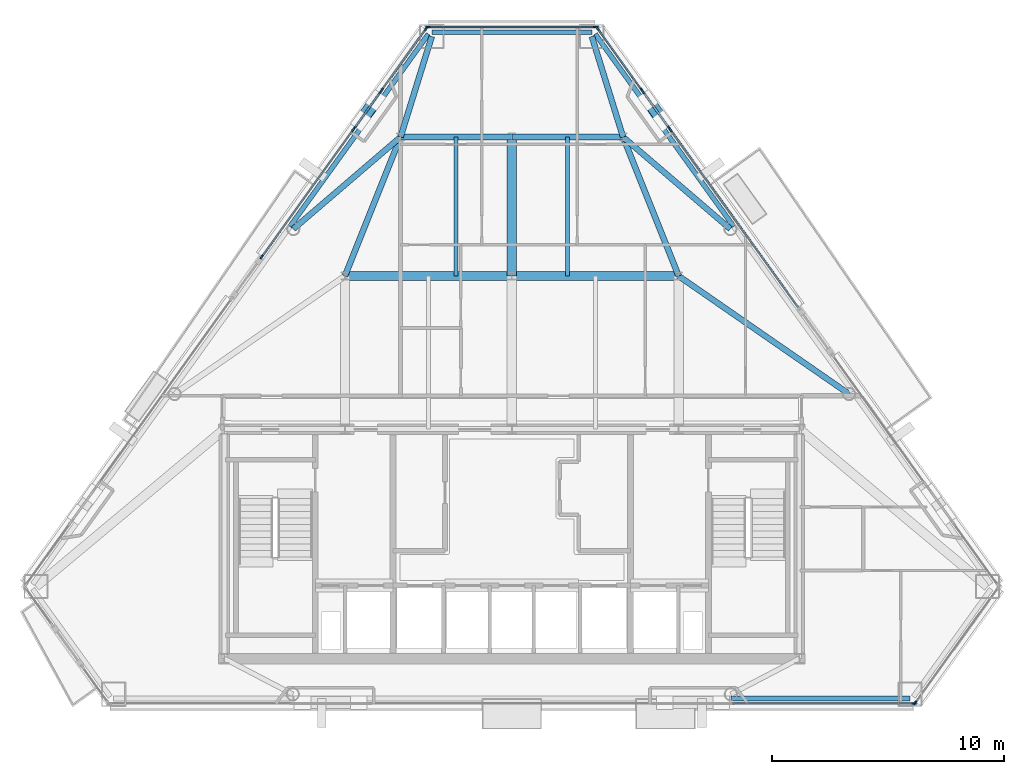
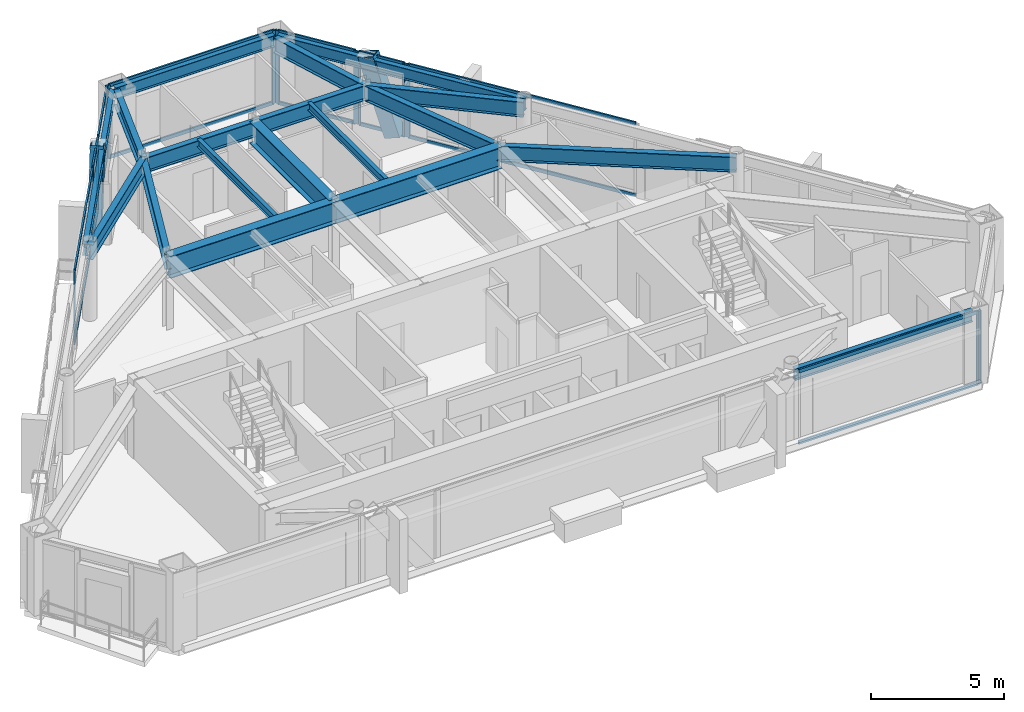
# One storey, part 4 of 11: 33 members, 18 beams, 9 elements without a shape of their own.
"""IFC4 building model written with IfcOpenShell, lengths in metres."""

from ifc_helpers import new_model, si_unit, direction, frame, origin, origin_2d, place, context, subcontext, project, spatial, rectangle, hollow_rectangle, i_section, extrude, material, layer, layer_set, material_profile, profile_set, type_object, element, aggregate, save


model = new_model("IFC4")

# Units and contexts
model_context = context("Model", 3, precision=1e-05, world=origin(), true_north=direction((0.0, 1.0)))
body_context = subcontext(model_context, "Body", "Model", "MODEL_VIEW")
ifc_project = project(units=[si_unit("LENGTHUNIT", "METRE"), si_unit("AREAUNIT", "SQUARE_METRE"), si_unit("VOLUMEUNIT", "CUBIC_METRE"), si_unit("PLANEANGLEUNIT", "RADIAN"), si_unit("MASSUNIT", "GRAM", prefix="KILO")], contexts=[model_context])

# Site, building, storey
site_placement = place(None, origin())
site = spatial("IfcSite", under=ifc_project, at=site_placement, CompositionType="ELEMENT")
building_placement = place(site_placement, origin())
building = spatial("IfcBuilding", under=site, at=building_placement, Name="Talgorran Terracotta Tower", CompositionType="ELEMENT")
storey_placement = place(building_placement, frame((0.0, 0.0, 196.5)))
storey = spatial("IfcBuildingStorey", under=building, at=storey_placement, Name="L51", CompositionType="ELEMENT", Elevation=196.5)

# Beams
ifc_material_1 = material(Name="Steel Grade 350 (350L0)", Category="steel")
ifc_material_profile_1 = material_profile(ifc_material_1, i_section(OverallWidth=0.39990234375, OverallDepth=1.0, WebThickness=0.01611328125, FlangeThickness=0.031005859375, at=origin_2d()), Name="1000WB296")
ifc_profile_set_1 = profile_set([ifc_material_profile_1], Name="Steel Grade 350 (350L0)")
beam_type_1 = type_object("IfcBeamType", Name="BM_1000WB296", PredefinedType="BEAM", material=ifc_profile_set_1)
for number, where, z_axis, x_axis, name in (
    (1, (-7.199951171875, 2.39990234375, 2.85009765625), (1.0, 0.0, 0.0), (0.0, 1.0, 0.0), "L51 Floor Girder G04"),
    (2, (0.0, 2.39990234375, 2.85009765625), (1.0, 0.0, 0.0), (0.0, 1.0, 0.0), "L51 Floor Girder G05"),
):
    element("IfcBeam", number, at=place(storey_placement, frame(where, z_axis=z_axis, x_axis=x_axis)), inside=storey, type_object=beam_type_1, Name=name, PredefinedType="BEAM", context=body_context, shape_type="SweptSolid", body=[
        extrude(i_section(OverallWidth=0.39990234375, OverallDepth=1.0, WebThickness=0.01611328125, FlangeThickness=0.031005859375, at=origin_2d()), origin(), (0.0, 0.0, 1.0), 7.199951171875),
    ])
beam_1_placement = place(storey_placement, frame((0.0, 2.39990234375, 2.85009765625), z_axis=(0.0, 1.0, 0.0), x_axis=(-1.0, 0.0, 0.0)))
element("IfcBeam", 3, at=beam_1_placement, inside=storey, type_object=beam_type_1, Name="L51 Floor Girder G09", PredefinedType="BEAM", context=body_context, shape_type="SweptSolid", body=[
    extrude(i_section(OverallWidth=0.39990234375, OverallDepth=1.0, WebThickness=0.01611328125, FlangeThickness=0.031005859375, at=origin_2d()), origin(), (0.0, 0.0, 1.0), 6.0),
])
ifc_material_2 = material(Name="Steel S355 (300PLUS)", Category="steel")
ifc_material_profile_2 = material_profile(ifc_material_2, i_section(OverallWidth=0.25, OverallDepth=0.699951171875, WebThickness=0.011962890625, FlangeThickness=0.02392578125, at=origin_2d()), Name="700WB150")
ifc_profile_set_2 = profile_set([ifc_material_profile_2], Name="Steel S355 (300PLUS)")
beam_type_2 = type_object("IfcBeamType", Name="BM_700WB150", PredefinedType="BEAM", material=ifc_profile_set_2)
beam_2_placement = place(storey_placement, frame((7.199951171875, 2.39990234375, 3.0), z_axis=(0.822270856927, -0.569096334419, 0.0), x_axis=(0.569096334419, 0.822270856927, 0.0)))
element("IfcBeam", 4, at=beam_2_placement, inside=storey, type_object=beam_type_2, Name="L51 Floor Girder G07", PredefinedType="BEAM", context=body_context, shape_type="SweptSolid", body=[
    extrude(i_section(OverallWidth=0.25, OverallDepth=0.699951171875, WebThickness=0.011962890625, FlangeThickness=0.02392578125, at=origin_2d()), origin(), (0.0, 0.0, 1.0), 8.937255859375),
])
for number, where, z_axis, x_axis, name in (
    (5, (-7.199951171875, 2.39990234375, 3.0), (0.371377648723, 0.928481901832, 0.0), (-0.928481901832, 0.371377648723, 0.0), "L51 Floor Girder G08"),
    (6, (7.199951171875, 2.39990234375, 3.0), (-0.371377648723, 0.928481901832, 0.0), (-0.928481901832, -0.371377648723, 0.0), "L51 Floor Girder G10"),
):
    element("IfcBeam", number, at=place(storey_placement, frame(where, z_axis=z_axis, x_axis=x_axis)), inside=storey, type_object=beam_type_2, Name=name, PredefinedType="BEAM", context=body_context, shape_type="SweptSolid", body=[
        extrude(i_section(OverallWidth=0.25, OverallDepth=0.699951171875, WebThickness=0.011962890625, FlangeThickness=0.02392578125, at=origin_2d()), origin(), (0.0, 0.0, 1.0), 6.462158203125),
    ])
for number, where, z_axis, x_axis, name in (
    (7, (-4.800048828125, 8.39990234375, 3.0), (1.0, 0.0, 0.0), (0.0, 1.0, 0.0), "L51 Floor Girder G11"),
    (8, (0.0, 8.39990234375, 3.0), (1.0, 0.0, 0.0), (0.0, 1.0, 0.0), "L51 Floor Girder G12"),
):
    element("IfcBeam", number, at=place(storey_placement, frame(where, z_axis=z_axis, x_axis=x_axis)), inside=storey, type_object=beam_type_2, Name=name, PredefinedType="BEAM", context=body_context, shape_type="SweptSolid", body=[
        extrude(i_section(OverallWidth=0.25, OverallDepth=0.699951171875, WebThickness=0.011962890625, FlangeThickness=0.02392578125, at=origin_2d()), origin(), (0.0, 0.0, 1.0), 4.800048828125),
    ])
for number, where, z_axis, x_axis, name in (
    (9, (-4.800048828125, 8.39990234375, 3.0), (-0.75920570373, -0.650850750499, 0.0), (0.650850750499, -0.75920570373, 0.0), "L51 Floor Girder G13"),
    (10, (4.800048828125, 8.39990234375, 3.0), (0.75920570373, -0.650850750499, 0.0), (0.650850750499, 0.75920570373, 0.0), "L51 Floor Girder G14"),
):
    element("IfcBeam", number, at=place(storey_placement, frame(where, z_axis=z_axis, x_axis=x_axis)), inside=storey, type_object=beam_type_2, Name=name, PredefinedType="BEAM", context=body_context, shape_type="SweptSolid", body=[
        extrude(i_section(OverallWidth=0.25, OverallDepth=0.699951171875, WebThickness=0.011962890625, FlangeThickness=0.02392578125, at=origin_2d()), origin(), (0.0, 0.0, 1.0), 6.0947265625),
    ])
for number, where, z_axis, x_axis, name in (
    (11, (-4.800048828125, 8.39990234375, 3.0), (0.296671316766, 0.954979648898, 0.0), (-0.954979648898, 0.296671316766, 0.0), "L51 Floor Girder G15"),
    (12, (4.800048828125, 8.39990234375, 3.0), (-0.296671316766, 0.954979648898, 0.0), (-0.954979648898, -0.296671316766, 0.0), "L51 Floor Girder G16"),
):
    element("IfcBeam", number, at=place(storey_placement, frame(where, z_axis=z_axis, x_axis=x_axis)), inside=storey, type_object=beam_type_2, Name=name, PredefinedType="BEAM", context=body_context, shape_type="SweptSolid", body=[
        extrude(i_section(OverallWidth=0.25, OverallDepth=0.699951171875, WebThickness=0.011962890625, FlangeThickness=0.02392578125, at=origin_2d()), origin(), (0.0, 0.0, 1.0), 4.54345703125),
    ])
ifc_material_profile_3 = material_profile(ifc_material_2, i_section(OverallWidth=0.17138671875, OverallDepth=0.355712890625, WebThickness=0.00732421875, FlangeThickness=0.011474609375, at=origin_2d()), Name="360UB50.7")
ifc_profile_set_3 = profile_set([ifc_material_profile_3], Name="Steel S355 (300PLUS)")
beam_type_3 = type_object("IfcBeamType", Name="BM_JS_360UB51", PredefinedType="JOIST", material=ifc_profile_set_3)
for number, where, z_axis, x_axis, name in (
    (13, (-2.39990234375, 2.39990234375, 3.172119140625), (0.0, 1.0, 0.0), (-1.0, 0.0, 0.0), "L51 Secondary Joist J03"),
    (14, (2.39990234375, 2.39990234375, 3.172119140625), (0.0, 1.0, 0.0), (-1.0, 0.0, 0.0), "L51 Secondary Joist J04"),
):
    element("IfcBeam", number, at=place(storey_placement, frame(where, z_axis=z_axis, x_axis=x_axis)), inside=storey, type_object=beam_type_3, Name=name, PredefinedType="JOIST", context=body_context, shape_type="SweptSolid", body=[
        extrude(i_section(OverallWidth=0.17138671875, OverallDepth=0.355712890625, WebThickness=0.00732421875, FlangeThickness=0.011474609375, at=origin_2d()), origin(), (0.0, 0.0, 1.0), 6.0),
    ])
ifc_material_profile_4 = material_profile(ifc_material_2, i_section(OverallWidth=0.209228515625, OverallDepth=0.532958984375, WebThickness=0.01025390625, FlangeThickness=0.015625, at=origin_2d()), Name="530UB92.4")
ifc_profile_set_4 = profile_set([ifc_material_profile_4], Name="Steel S355 (300PLUS)")
beam_type_4 = type_object("IfcBeamType", Name="BM_SP_530UB92", PredefinedType="SPANDREL", material=ifc_profile_set_4)
beam_3_placement = place(storey_placement, frame((9.44873046875, -15.821044921875, 3.08349609375), z_axis=(1.0, 0.0, 0.0), x_axis=(0.0, 1.0, 0.0)))
element("IfcBeam", 15, at=beam_3_placement, inside=storey, type_object=beam_type_4, Name="L51 Perimeter Spandrel Beam FC2-MC3", PredefinedType="SPANDREL", context=body_context, shape_type="SweptSolid", body=[
    extrude(i_section(OverallWidth=0.209228515625, OverallDepth=0.532958984375, WebThickness=0.01025390625, FlangeThickness=0.015625, at=origin_2d()), origin(), (0.0, 0.0, 1.0), 7.73095703125),
])
beam_4_placement = place(storey_placement, frame((9.573486328125, 4.5380859375, 3.08349609375), z_axis=(-0.583988509517, 0.811761923689, 0.0), x_axis=(-0.811761923689, -0.583988509517, 0.0)))
element("IfcBeam", 16, at=beam_4_placement, inside=storey, type_object=beam_type_4, Name="L51 Perimeter Spandrel Beam FC4-MC5", PredefinedType="SPANDREL", context=body_context, shape_type="SweptSolid", body=[
    extrude(i_section(OverallWidth=0.209228515625, OverallDepth=0.532958984375, WebThickness=0.01025390625, FlangeThickness=0.015625, at=origin_2d()), origin(), (0.0, 0.0, 1.0), 10.23193359375),
])
beam_5_placement = place(storey_placement, frame((3.4521484375, 12.918701171875, 3.08349609375), z_axis=(-1.0, 0.0, 0.0), x_axis=(0.0, -1.0, 0.0)))
element("IfcBeam", 17, at=beam_5_placement, inside=storey, type_object=beam_type_4, Name="L51 Perimeter Spandrel Beam MC5-MC6", PredefinedType="SPANDREL", context=body_context, shape_type="SweptSolid", body=[
    extrude(i_section(OverallWidth=0.209228515625, OverallDepth=0.532958984375, WebThickness=0.01025390625, FlangeThickness=0.015625, at=origin_2d()), origin(), (0.0, 0.0, 1.0), 6.904296875),
])
beam_6_placement = place(storey_placement, frame((-3.59814453125, 12.843994140625, 3.08349609375), z_axis=(-0.583988509517, -0.811761923689, 0.0), x_axis=(0.811761923689, -0.583988509517, 0.0)))
element("IfcBeam", 18, at=beam_6_placement, inside=storey, type_object=beam_type_4, Name="L51 Perimeter Spandrel Beam MC6-FC5", PredefinedType="SPANDREL", context=body_context, shape_type="SweptSolid", body=[
    extrude(i_section(OverallWidth=0.209228515625, OverallDepth=0.532958984375, WebThickness=0.01025390625, FlangeThickness=0.015625, at=origin_2d()), origin(), (0.0, 0.0, 1.0), 10.23193359375),
])

# Members
ifc_material_profile_5 = material_profile(ifc_material_1, hollow_rectangle(XDim=0.52001953125, YDim=0.659912109375, WallThickness=0.034912109375, at=origin_2d()), Name="WBOX660X520X35")
ifc_profile_set_5 = profile_set([ifc_material_profile_5], Name="Steel Grade 350 (350L0)")
member_type_1 = type_object("IfcMemberType", Name="MB_MEGA_660", PredefinedType="BRACE", material=ifc_profile_set_5)
for number, where, z_axis, x_axis, name in (
    (19, (6.513427734375, 9.099609375, -0.02490234375), (-0.179439890978, 0.249548546021, 0.951591744765), (-0.811896824414, -0.583800947675, 0.0), "L51 Exterior Face Mega-Brace MB-3 (NEU)"),
    (20, (-6.513427734375, 9.099609375, -0.02490234375), (0.179439890978, 0.249548546021, 0.951591744765), (-0.811896824414, 0.583800947675, 0.0), "L51 Exterior Face Mega-Brace MB-3 (NWU)"),
):
    element("IfcMember", number, at=place(storey_placement, frame(where, z_axis=z_axis, x_axis=x_axis)), inside=storey, type_object=member_type_1, Name=name, PredefinedType="BRACE", context=body_context, shape_type="SweptSolid", body=[
        extrude(hollow_rectangle(XDim=0.52001953125, YDim=0.659912109375, WallThickness=0.034912109375, at=origin_2d()), origin(), (0.0, 0.0, 1.0), 3.57275390625),
    ])

# Curtain wall, member
ifc_material_3 = material(Name="High-Wind Unitised Glazing", Category="glass")
ifc_layer = layer(ifc_material_3, 0.2099609375, Name="CW_SYS3_RES_HIGH")
ifc_layer_set = layer_set([ifc_layer], Name="High-Wind Unitised Glazing")
curtain_wall_type = type_object("IfcCurtainWallType", Name="CW_SYS3_RES_HIGH", PredefinedType="NOTDEFINED", material=ifc_layer_set)
curtain_wall_1_placement = place(storey_placement, origin())
curtain_wall_1 = element("IfcCurtainWall", 21, at=curtain_wall_1_placement, inside=storey, type_object=curtain_wall_type, Name="CW-L51-F1E", PredefinedType="NOTDEFINED")
ifc_material_4 = material(Name="Architectural Aluminium 6063-T6", Category="aluminium")
ifc_material_profile_6 = material_profile(ifc_material_4, rectangle(XDim=0.070068359375, YDim=0.199951171875, at=origin_2d()), Name="CWM70X200")
ifc_profile_set_6 = profile_set([ifc_material_profile_6], Name="Architectural Aluminium 6063-T6")
member_type_2 = type_object("IfcMemberType", Name="MUL_70X200", PredefinedType="MULLION", material=ifc_profile_set_6)
member_1_placement = place(storey_placement, frame((17.349609375, -16.041015625, 0.0), z_axis=(0.0, 0.0, 1.0), x_axis=(0.0, 1.0, 0.0)))
member_1 = element("IfcMember", 22, at=member_1_placement, type_object=member_type_2, Name="CW-L51-1E mullion 2", PredefinedType="MULLION", context=body_context, shape_type="SweptSolid", body=[
    extrude(rectangle(XDim=0.070068359375, YDim=0.199951171875, at=origin_2d()), origin(), (0.0, 0.0, 1.0), 3.35009765625),
])

curtain_wall_2_placement = place(storey_placement, origin())
curtain_wall_2 = element("IfcCurtainWall", 23, at=curtain_wall_2_placement, inside=storey, type_object=curtain_wall_type, Name="CW-L51-F2", PredefinedType="NOTDEFINED")
member_2_placement = place(storey_placement, frame((17.405029296875, -16.0126953125, 0.0), z_axis=(0.0, 0.0, 1.0), x_axis=(-0.811769090011, 0.583978547982, 0.0)))
member_2 = element("IfcMember", 24, at=member_2_placement, type_object=member_type_2, Name="CW-L51-2 mullion 1", PredefinedType="MULLION", context=body_context, shape_type="SweptSolid", body=[
    extrude(rectangle(XDim=0.070068359375, YDim=0.199951171875, at=origin_2d()), origin(), (0.0, 0.0, 1.0), 3.35009765625),
])
aggregate(curtain_wall_2, [member_2])

curtain_wall_3_placement = place(storey_placement, origin())
curtain_wall_3 = element("IfcCurtainWall", 25, at=curtain_wall_3_placement, inside=storey, type_object=curtain_wall_type, Name="CW-L51-F41", PredefinedType="NOTDEFINED")
member_3_placement = place(storey_placement, frame((6.84033203125, 8.7138671875, 0.0), z_axis=(0.0, 0.0, 1.0), x_axis=(-0.811762437351, -0.583987795511, 0.0)))
member_3 = element("IfcMember", 26, at=member_3_placement, type_object=member_type_2, Name="CW-L51-41 mullion 2", PredefinedType="MULLION", context=body_context, shape_type="SweptSolid", body=[
    extrude(rectangle(XDim=0.070068359375, YDim=0.199951171875, at=origin_2d()), origin(), (0.0, 0.0, 1.0), 3.35009765625),
])

# Curtain wall, members
curtain_wall_4_placement = place(storey_placement, origin())
curtain_wall_4 = element("IfcCurtainWall", 27, at=curtain_wall_4_placement, inside=storey, type_object=curtain_wall_type, Name="CW-L51-F41B", PredefinedType="NOTDEFINED")
member_4_placement = place(storey_placement, frame((6.793701171875, 8.77880859375, 0.0), z_axis=(0.0, 0.0, 1.0), x_axis=(-0.811758188715, -0.583993701211, 0.0)))
member_4 = element("IfcMember", 28, at=member_4_placement, type_object=member_type_2, Name="CW-L51-41B mullion 1", PredefinedType="MULLION", context=body_context, shape_type="SweptSolid", body=[
    extrude(rectangle(XDim=0.070068359375, YDim=0.199951171875, at=origin_2d()), origin(), (0.0, 0.0, 1.0), 3.35009765625),
])
member_5_placement = place(storey_placement, frame((5.6572265625, 10.358642578125, 0.0), z_axis=(0.0, 0.0, 1.0), x_axis=(-0.811758188715, -0.583993701211, 0.0)))
member_5 = element("IfcMember", 29, at=member_5_placement, type_object=member_type_2, Name="CW-L51-41B mullion 2", PredefinedType="MULLION", context=body_context, shape_type="SweptSolid", body=[
    extrude(rectangle(XDim=0.070068359375, YDim=0.199951171875, at=origin_2d()), origin(), (0.0, 0.0, 1.0), 3.35009765625),
])

curtain_wall_5_placement = place(storey_placement, origin())
curtain_wall_5 = element("IfcCurtainWall", 30, at=curtain_wall_5_placement, inside=storey, type_object=curtain_wall_type, Name="CW-L51-F41C", PredefinedType="NOTDEFINED")
member_6_placement = place(storey_placement, frame((5.6103515625, 10.423583984375, 0.0), z_axis=(0.0, 0.0, 1.0), x_axis=(-0.811760313624, -0.58399074755, 0.0)))
member_6 = element("IfcMember", 31, at=member_6_placement, type_object=member_type_2, Name="CW-L51-41C mullion 1", PredefinedType="MULLION", context=body_context, shape_type="SweptSolid", body=[
    extrude(rectangle(XDim=0.070068359375, YDim=0.199951171875, at=origin_2d()), origin(), (0.0, 0.0, 1.0), 3.35009765625),
])
member_7_placement = place(storey_placement, frame((3.700927734375, 13.077880859375, 0.0), z_axis=(0.0, 0.0, 1.0), x_axis=(-0.811760313624, -0.58399074755, 0.0)))
member_7 = element("IfcMember", 32, at=member_7_placement, type_object=member_type_2, Name="CW-L51-41C mullion 2", PredefinedType="MULLION", context=body_context, shape_type="SweptSolid", body=[
    extrude(rectangle(XDim=0.070068359375, YDim=0.199951171875, at=origin_2d()), origin(), (0.0, 0.0, 1.0), 3.35009765625),
])

curtain_wall_6_placement = place(storey_placement, origin())
curtain_wall_6 = element("IfcCurtainWall", 33, at=curtain_wall_6_placement, inside=storey, type_object=curtain_wall_type, Name="CW-L51-F4", PredefinedType="NOTDEFINED")
member_8_placement = place(storey_placement, frame((3.6220703125, 13.138916015625, 0.0), z_axis=(0.0, 0.0, 1.0), x_axis=(0.0, -1.0, 0.0)))
member_8 = element("IfcMember", 34, at=member_8_placement, type_object=member_type_2, Name="CW-L51-4 mullion 1", PredefinedType="MULLION", context=body_context, shape_type="SweptSolid", body=[
    extrude(rectangle(XDim=0.070068359375, YDim=0.199951171875, at=origin_2d()), origin(), (0.0, 0.0, 1.0), 3.35009765625),
])
member_9_placement = place(storey_placement, frame((-3.6220703125, 13.138916015625, 0.0), z_axis=(0.0, 0.0, 1.0), x_axis=(0.0, -1.0, 0.0)))
member_9 = element("IfcMember", 35, at=member_9_placement, type_object=member_type_2, Name="CW-L51-4 mullion 2", PredefinedType="MULLION", context=body_context, shape_type="SweptSolid", body=[
    extrude(rectangle(XDim=0.070068359375, YDim=0.199951171875, at=origin_2d()), origin(), (0.0, 0.0, 1.0), 3.35009765625),
])

curtain_wall_7_placement = place(storey_placement, origin())
curtain_wall_7 = element("IfcCurtainWall", 36, at=curtain_wall_7_placement, inside=storey, type_object=curtain_wall_type, Name="CW-L51-F60", PredefinedType="NOTDEFINED")
member_10_placement = place(storey_placement, frame((-3.700927734375, 13.077880859375, 0.0), z_axis=(0.0, 0.0, 1.0), x_axis=(0.811760313624, -0.58399074755, 0.0)))
member_10 = element("IfcMember", 37, at=member_10_placement, type_object=member_type_2, Name="CW-L51-60 mullion 1", PredefinedType="MULLION", context=body_context, shape_type="SweptSolid", body=[
    extrude(rectangle(XDim=0.070068359375, YDim=0.199951171875, at=origin_2d()), origin(), (0.0, 0.0, 1.0), 3.35009765625),
])
member_11_placement = place(storey_placement, frame((-5.6103515625, 10.423583984375, 0.0), z_axis=(0.0, 0.0, 1.0), x_axis=(0.811760313624, -0.58399074755, 0.0)))
member_11 = element("IfcMember", 38, at=member_11_placement, type_object=member_type_2, Name="CW-L51-60 mullion 2", PredefinedType="MULLION", context=body_context, shape_type="SweptSolid", body=[
    extrude(rectangle(XDim=0.070068359375, YDim=0.199951171875, at=origin_2d()), origin(), (0.0, 0.0, 1.0), 3.35009765625),
])

curtain_wall_8_placement = place(storey_placement, origin())
curtain_wall_8 = element("IfcCurtainWall", 39, at=curtain_wall_8_placement, inside=storey, type_object=curtain_wall_type, Name="CW-L51-F60B", PredefinedType="NOTDEFINED")
member_12_placement = place(storey_placement, frame((-5.6572265625, 10.358642578125, 0.0), z_axis=(0.0, 0.0, 1.0), x_axis=(0.811758188715, -0.583993701211, 0.0)))
member_12 = element("IfcMember", 40, at=member_12_placement, type_object=member_type_2, Name="CW-L51-60B mullion 1", PredefinedType="MULLION", context=body_context, shape_type="SweptSolid", body=[
    extrude(rectangle(XDim=0.070068359375, YDim=0.199951171875, at=origin_2d()), origin(), (0.0, 0.0, 1.0), 3.35009765625),
])
member_13_placement = place(storey_placement, frame((-6.793701171875, 8.77880859375, 0.0), z_axis=(0.0, 0.0, 1.0), x_axis=(0.811758188715, -0.583993701211, 0.0)))
member_13 = element("IfcMember", 41, at=member_13_placement, type_object=member_type_2, Name="CW-L51-60B mullion 2", PredefinedType="MULLION", context=body_context, shape_type="SweptSolid", body=[
    extrude(rectangle(XDim=0.070068359375, YDim=0.199951171875, at=origin_2d()), origin(), (0.0, 0.0, 1.0), 3.35009765625),
])

curtain_wall_9_placement = place(storey_placement, origin())
curtain_wall_9 = element("IfcCurtainWall", 42, at=curtain_wall_9_placement, inside=storey, type_object=curtain_wall_type, Name="CW-L51-F60C", PredefinedType="NOTDEFINED")
member_14_placement = place(storey_placement, frame((-6.84033203125, 8.7138671875, 0.0), z_axis=(0.0, 0.0, 1.0), x_axis=(0.81175846787, -0.583993313182, 0.0)))
member_14 = element("IfcMember", 43, at=member_14_placement, type_object=member_type_2, Name="CW-L51-60C mullion 1", PredefinedType="MULLION", context=body_context, shape_type="SweptSolid", body=[
    extrude(rectangle(XDim=0.070068359375, YDim=0.199951171875, at=origin_2d()), origin(), (0.0, 0.0, 1.0), 3.35009765625),
])
member_15_placement = place(storey_placement, frame((-10.786865234375, 3.228271484375, 0.0), z_axis=(0.0, 0.0, 1.0), x_axis=(0.81175846787, -0.583993313182, 0.0)))
member_15 = element("IfcMember", 44, at=member_15_placement, type_object=member_type_2, Name="CW-L51-60C mullion 2", PredefinedType="MULLION", context=body_context, shape_type="SweptSolid", body=[
    extrude(rectangle(XDim=0.070068359375, YDim=0.199951171875, at=origin_2d()), origin(), (0.0, 0.0, 1.0), 3.35009765625),
])

# Member
ifc_material_profile_7 = material_profile(ifc_material_4, rectangle(XDim=0.070068359375, YDim=0.159912109375, at=origin_2d()), Name="CWT70X160")
ifc_profile_set_7 = profile_set([ifc_material_profile_7], Name="Architectural Aluminium 6063-T6")
member_type_3 = type_object("IfcMemberType", Name="TRN_70X160", PredefinedType="USERDEFINED", material=ifc_profile_set_7)
member_16_placement = place(storey_placement, frame((9.522705078125, -16.041015625, 0.034912109375), z_axis=(1.0, 0.0, 0.0), x_axis=(0.0, 1.0, 0.0)))
member_16 = element("IfcMember", 45, at=member_16_placement, type_object=member_type_3, Name="CW-L51-1E transom 1.1", ObjectType="TRANSOM", PredefinedType="USERDEFINED", context=body_context, shape_type="SweptSolid", body=[
    extrude(rectangle(XDim=0.070068359375, YDim=0.159912109375, at=origin_2d()), origin(), (0.0, 0.0, 1.0), 7.7919921875),
])

member_17_placement = place(storey_placement, frame((9.522705078125, -16.041015625, 3.31494140625), z_axis=(1.0, 0.0, 0.0), x_axis=(0.0, 1.0, 0.0)))
member_17 = element("IfcMember", 46, at=member_17_placement, type_object=member_type_3, Name="CW-L51-1E transom 1.2", ObjectType="TRANSOM", PredefinedType="USERDEFINED", context=body_context, shape_type="SweptSolid", body=[
    extrude(rectangle(XDim=0.070068359375, YDim=0.159912109375, at=origin_2d()), origin(), (0.0, 0.0, 1.0), 7.7919921875),
])

aggregate(curtain_wall_1, [member_1, member_16, member_17])

member_18_placement = place(storey_placement, frame((12.347412109375, 1.058837890625, 0.034912109375), z_axis=(-0.583978145065, 0.811769379865, 0.0), x_axis=(-0.811769379865, -0.583978145065, 0.0)))
member_18 = element("IfcMember", 47, at=member_18_placement, type_object=member_type_3, Name="CW-L51-41 transom 1.1", ObjectType="TRANSOM", PredefinedType="USERDEFINED", context=body_context, shape_type="SweptSolid", body=[
    extrude(rectangle(XDim=0.070068359375, YDim=0.159912109375, at=origin_2d()), origin(), (0.0, 0.0, 1.0), 9.395263671875),
])

member_19_placement = place(storey_placement, frame((12.347412109375, 1.058837890625, 3.31494140625), z_axis=(-0.583978145065, 0.811769379865, 0.0), x_axis=(-0.811769379865, -0.583978145065, 0.0)))
member_19 = element("IfcMember", 48, at=member_19_placement, type_object=member_type_3, Name="CW-L51-41 transom 1.2", ObjectType="TRANSOM", PredefinedType="USERDEFINED", context=body_context, shape_type="SweptSolid", body=[
    extrude(rectangle(XDim=0.070068359375, YDim=0.159912109375, at=origin_2d()), origin(), (0.0, 0.0, 1.0), 9.395263671875),
])

aggregate(curtain_wall_3, [member_3, member_18, member_19])

member_20_placement = place(storey_placement, frame((6.773193359375, 8.807373046875, 0.034912109375), z_axis=(-0.584016733465, 0.811741618394, 0.0), x_axis=(-0.811741618394, -0.584016733465, 0.0)))
member_20 = element("IfcMember", 49, at=member_20_placement, type_object=member_type_3, Name="CW-L51-41B transom 1.1", ObjectType="TRANSOM", PredefinedType="USERDEFINED", context=body_context, shape_type="SweptSolid", body=[
    extrude(rectangle(XDim=0.070068359375, YDim=0.159912109375, at=origin_2d()), origin(), (0.0, 0.0, 1.0), 1.876220703125),
])

member_21_placement = place(storey_placement, frame((6.773193359375, 8.807373046875, 3.31494140625), z_axis=(-0.584016733465, 0.811741618394, 0.0), x_axis=(-0.811741618394, -0.584016733465, 0.0)))
member_21 = element("IfcMember", 50, at=member_21_placement, type_object=member_type_3, Name="CW-L51-41B transom 1.2", ObjectType="TRANSOM", PredefinedType="USERDEFINED", context=body_context, shape_type="SweptSolid", body=[
    extrude(rectangle(XDim=0.070068359375, YDim=0.159912109375, at=origin_2d()), origin(), (0.0, 0.0, 1.0), 1.876220703125),
])

aggregate(curtain_wall_4, [member_4, member_5, member_20, member_21])

member_22_placement = place(storey_placement, frame((5.590087890625, 10.451904296875, 0.034912109375), z_axis=(-0.583962994034, 0.811780279139, 0.0), x_axis=(-0.811780279139, -0.583962994034, 0.0)))
member_22 = element("IfcMember", 51, at=member_22_placement, type_object=member_type_3, Name="CW-L51-41C transom 1.1", ObjectType="TRANSOM", PredefinedType="USERDEFINED", context=body_context, shape_type="SweptSolid", body=[
    extrude(rectangle(XDim=0.070068359375, YDim=0.159912109375, at=origin_2d()), origin(), (0.0, 0.0, 1.0), 3.199951171875),
])

member_23_placement = place(storey_placement, frame((5.590087890625, 10.451904296875, 3.31494140625), z_axis=(-0.583962994034, 0.811780279139, 0.0), x_axis=(-0.811780279139, -0.583962994034, 0.0)))
member_23 = element("IfcMember", 52, at=member_23_placement, type_object=member_type_3, Name="CW-L51-41C transom 1.2", ObjectType="TRANSOM", PredefinedType="USERDEFINED", context=body_context, shape_type="SweptSolid", body=[
    extrude(rectangle(XDim=0.070068359375, YDim=0.159912109375, at=origin_2d()), origin(), (0.0, 0.0, 1.0), 3.199951171875),
])

aggregate(curtain_wall_5, [member_6, member_7, member_22, member_23])

member_24_placement = place(storey_placement, frame((3.587158203125, 13.138916015625, 0.034912109375), z_axis=(-1.0, 0.0, 0.0), x_axis=(0.0, -1.0, 0.0)))
member_24 = element("IfcMember", 53, at=member_24_placement, type_object=member_type_3, Name="CW-L51-4 transom 1.1", ObjectType="TRANSOM", PredefinedType="USERDEFINED", context=body_context, shape_type="SweptSolid", body=[
    extrude(rectangle(XDim=0.070068359375, YDim=0.159912109375, at=origin_2d()), origin(), (0.0, 0.0, 1.0), 7.17431640625),
])

member_25_placement = place(storey_placement, frame((3.587158203125, 13.138916015625, 3.31494140625), z_axis=(-1.0, 0.0, 0.0), x_axis=(0.0, -1.0, 0.0)))
member_25 = element("IfcMember", 54, at=member_25_placement, type_object=member_type_3, Name="CW-L51-4 transom 1.2", ObjectType="TRANSOM", PredefinedType="USERDEFINED", context=body_context, shape_type="SweptSolid", body=[
    extrude(rectangle(XDim=0.070068359375, YDim=0.159912109375, at=origin_2d()), origin(), (0.0, 0.0, 1.0), 7.17431640625),
])

aggregate(curtain_wall_6, [member_8, member_9, member_24, member_25])

member_26_placement = place(storey_placement, frame((-3.721435546875, 13.049560546875, 0.034912109375), z_axis=(-0.583962994034, -0.811780279139, 0.0), x_axis=(0.811780279139, -0.583962994034, 0.0)))
member_26 = element("IfcMember", 55, at=member_26_placement, type_object=member_type_3, Name="CW-L51-60 transom 1.1", ObjectType="TRANSOM", PredefinedType="USERDEFINED", context=body_context, shape_type="SweptSolid", body=[
    extrude(rectangle(XDim=0.070068359375, YDim=0.159912109375, at=origin_2d()), origin(), (0.0, 0.0, 1.0), 3.199951171875),
])

member_27_placement = place(storey_placement, frame((-3.721435546875, 13.049560546875, 3.31494140625), z_axis=(-0.583962994034, -0.811780279139, 0.0), x_axis=(0.811780279139, -0.583962994034, 0.0)))
member_27 = element("IfcMember", 56, at=member_27_placement, type_object=member_type_3, Name="CW-L51-60 transom 1.2", ObjectType="TRANSOM", PredefinedType="USERDEFINED", context=body_context, shape_type="SweptSolid", body=[
    extrude(rectangle(XDim=0.070068359375, YDim=0.159912109375, at=origin_2d()), origin(), (0.0, 0.0, 1.0), 3.199951171875),
])

aggregate(curtain_wall_7, [member_10, member_11, member_26, member_27])

member_28_placement = place(storey_placement, frame((-5.677490234375, 10.330322265625, 0.034912109375), z_axis=(-0.584016733465, -0.811741618394, 0.0), x_axis=(0.811741618394, -0.584016733465, 0.0)))
member_28 = element("IfcMember", 57, at=member_28_placement, type_object=member_type_3, Name="CW-L51-60B transom 1.1", ObjectType="TRANSOM", PredefinedType="USERDEFINED", context=body_context, shape_type="SweptSolid", body=[
    extrude(rectangle(XDim=0.070068359375, YDim=0.159912109375, at=origin_2d()), origin(), (0.0, 0.0, 1.0), 1.876220703125),
])

member_29_placement = place(storey_placement, frame((-5.677490234375, 10.330322265625, 3.31494140625), z_axis=(-0.584016733465, -0.811741618394, 0.0), x_axis=(0.811741618394, -0.584016733465, 0.0)))
member_29 = element("IfcMember", 58, at=member_29_placement, type_object=member_type_3, Name="CW-L51-60B transom 1.2", ObjectType="TRANSOM", PredefinedType="USERDEFINED", context=body_context, shape_type="SweptSolid", body=[
    extrude(rectangle(XDim=0.070068359375, YDim=0.159912109375, at=origin_2d()), origin(), (0.0, 0.0, 1.0), 1.876220703125),
])

aggregate(curtain_wall_8, [member_12, member_13, member_28, member_29])

member_30_placement = place(storey_placement, frame((-6.86083984375, 8.685546875, 0.034912109375), z_axis=(-0.583994051038, -0.811757937043, 0.0), x_axis=(0.811757937043, -0.583994051038, 0.0)))
member_30 = element("IfcMember", 59, at=member_30_placement, type_object=member_type_3, Name="CW-L51-60C transom 1.1", ObjectType="TRANSOM", PredefinedType="USERDEFINED", context=body_context, shape_type="SweptSolid", body=[
    extrude(rectangle(XDim=0.070068359375, YDim=0.159912109375, at=origin_2d()), origin(), (0.0, 0.0, 1.0), 6.6875),
])

member_31_placement = place(storey_placement, frame((-6.86083984375, 8.685546875, 3.31494140625), z_axis=(-0.583994051038, -0.811757937043, 0.0), x_axis=(0.811757937043, -0.583994051038, 0.0)))
member_31 = element("IfcMember", 60, at=member_31_placement, type_object=member_type_3, Name="CW-L51-60C transom 1.2", ObjectType="TRANSOM", PredefinedType="USERDEFINED", context=body_context, shape_type="SweptSolid", body=[
    extrude(rectangle(XDim=0.070068359375, YDim=0.159912109375, at=origin_2d()), origin(), (0.0, 0.0, 1.0), 6.6875),
])

aggregate(curtain_wall_9, [member_14, member_15, member_30, member_31])

save(model, "model.ifc")
